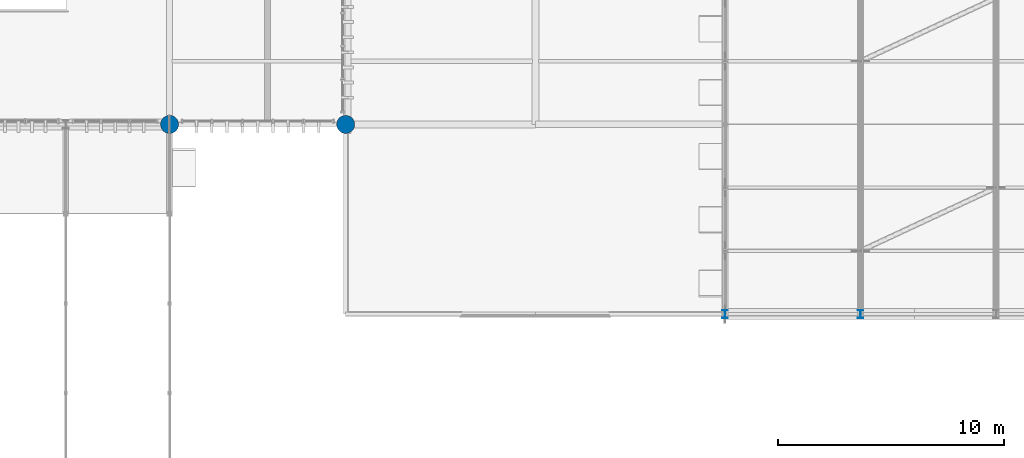
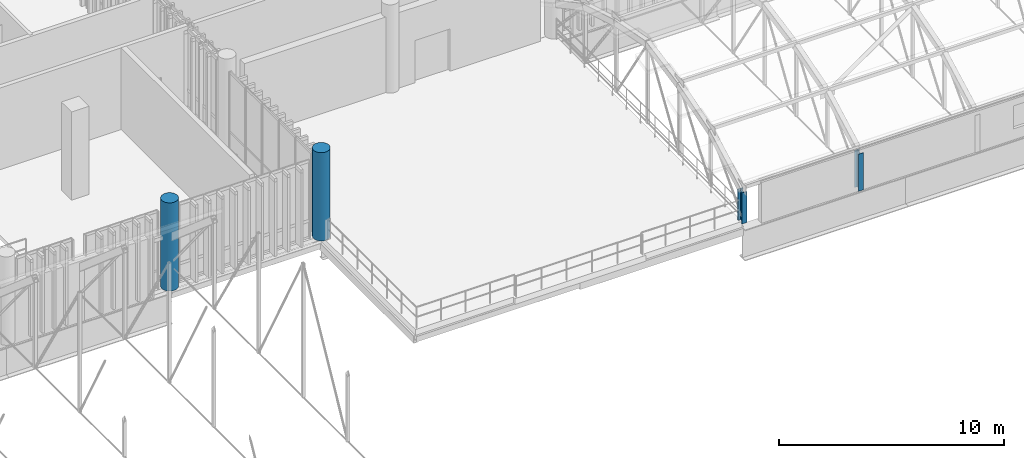
# One storey, part 2 of 109: 4 columns.
"""IFC4 building model written with IfcOpenShell, lengths in metres."""

from ifc_helpers import new_model, si_unit, direction, frame, origin_with_axes, origin_2d_with_axis, place, context, subcontext, project, spatial, circle, i_section, extrude, material, material_profile, profile_set, type_object, element, save


model = new_model("IFC4")

# Units and contexts
model_context = context("Model", 3, precision=1e-05, world=origin_with_axes(), true_north=direction((0.0, 1.0)))
body_context = subcontext(model_context, "Body", "Model", "MODEL_VIEW")
ifc_project = project(units=[si_unit("LENGTHUNIT", "METRE"), si_unit("AREAUNIT", "SQUARE_METRE"), si_unit("VOLUMEUNIT", "CUBIC_METRE"), si_unit("PLANEANGLEUNIT", "RADIAN"), si_unit("MASSUNIT", "GRAM", prefix="KILO"), si_unit("THERMODYNAMICTEMPERATUREUNIT", "KELVIN")], contexts=[model_context])

# Site, building, storey
site_placement = place(None, origin_with_axes())
site = spatial("IfcSite", under=ifc_project, at=site_placement, CompositionType="ELEMENT")
building_placement = place(site_placement, origin_with_axes())
building = spatial("IfcBuilding", under=site, at=building_placement, Name="Montbau Bow Law Courts", CompositionType="ELEMENT")
storey_placement = place(building_placement, frame((0.0, 0.0, 10.8), z_axis=(0.0, 0.0, 1.0), x_axis=(1.0, 0.0, 0.0)))
storey = spatial("IfcBuildingStorey", under=building, at=storey_placement, Name="L02", CompositionType="ELEMENT", Elevation=10.8)

# Columns
ifc_material_1 = material(Name="Concrete CSA A23.1 f'c 40 MPa", Category="concrete")
ifc_material_profile_1 = material_profile(ifc_material_1, circle(Radius=0.4, at=origin_2d_with_axis()), Name="RC800D", Category="Main", Priority=0)
ifc_profile_set_1 = profile_set([ifc_material_profile_1], Name="Concrete CSA A23.1 f'c 40 MPa")
column_type_1 = type_object("IfcColumnType", Name="C-RC-07", PredefinedType="COLUMN", material=ifc_profile_set_1)
for number, where, z_axis, x_axis, name in (
    (1, (39.0, 30.6, 10.8), (0.0, 0.0, 1.0), (1.0, 0.0, 0.0), "C-L02-S0536:col2_0536"),
    (2, (46.8, 30.6, 10.8), (0.0, 0.0, 1.0), (1.0, 0.0, 0.0), "C-L02-S0540:col2_0540"),
):
    element("IfcColumn", number, at=place(None, frame(where, z_axis=z_axis, x_axis=x_axis)), inside=storey, type_object=column_type_1, Name=name, PredefinedType="COLUMN", context=body_context, shape_type="SweptSolid", body=[
        extrude(circle(Radius=0.4, at=origin_2d_with_axis()), origin_with_axes(), (0.0, 0.0, 1.0), 4.8),
    ])
ifc_material_2 = material(Name="Steel CSA G40.21 Grade 350W (350 MPa)", Category="steel")
ifc_material_profile_2 = material_profile(ifc_material_2, i_section(OverallWidth=0.257, OverallDepth=0.363, WebThickness=0.013, FlangeThickness=0.0217, at=origin_2d_with_axis()), Name="W360X122", Category="Main", Priority=0)
ifc_profile_set_2 = profile_set([ifc_material_profile_2], Name="Steel CSA G40.21 Grade 350W (350 MPa)")
column_type_2 = type_object("IfcColumnType", Name="C-STL-05", PredefinedType="COLUMN", material=ifc_profile_set_2)
column_1_placement = place(None, frame((63.6, 22.2, 10.8), z_axis=(0.0, 0.0, 1.0), x_axis=(1.0, 0.0, 0.0)))
element("IfcColumn", 3, at=column_1_placement, inside=storey, type_object=column_type_2, Name="C-VLT-V4-01S:col2_1178", PredefinedType="COLUMN", context=body_context, shape_type="SweptSolid", body=[
    extrude(i_section(OverallWidth=0.257, OverallDepth=0.363, WebThickness=0.013, FlangeThickness=0.0217, at=origin_2d_with_axis()), origin_with_axes(), (0.0, 0.0, 1.0), 1.7),
])
column_2_placement = place(None, frame((69.6, 22.2, 10.48), z_axis=(0.0, 0.0, 1.0), x_axis=(1.0, 0.0, 0.0)))
element("IfcColumn", 4, at=column_2_placement, inside=storey, type_object=column_type_2, Name="C-VLT-V4-02S:col2_1179", PredefinedType="COLUMN", context=body_context, shape_type="SweptSolid", body=[
    extrude(i_section(OverallWidth=0.257, OverallDepth=0.363, WebThickness=0.013, FlangeThickness=0.0217, at=origin_2d_with_axis()), origin_with_axes(), (0.0, 0.0, 1.0), 2.02),
])

save(model, "model.ifc")
